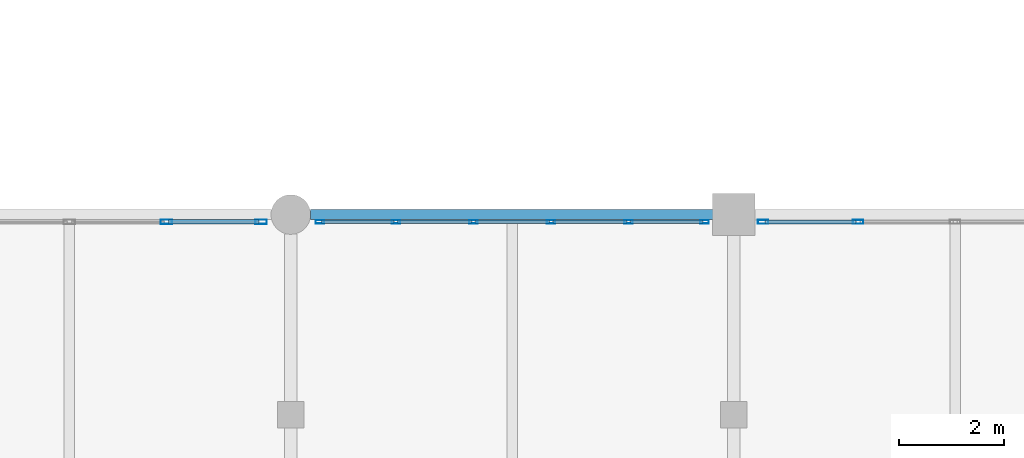
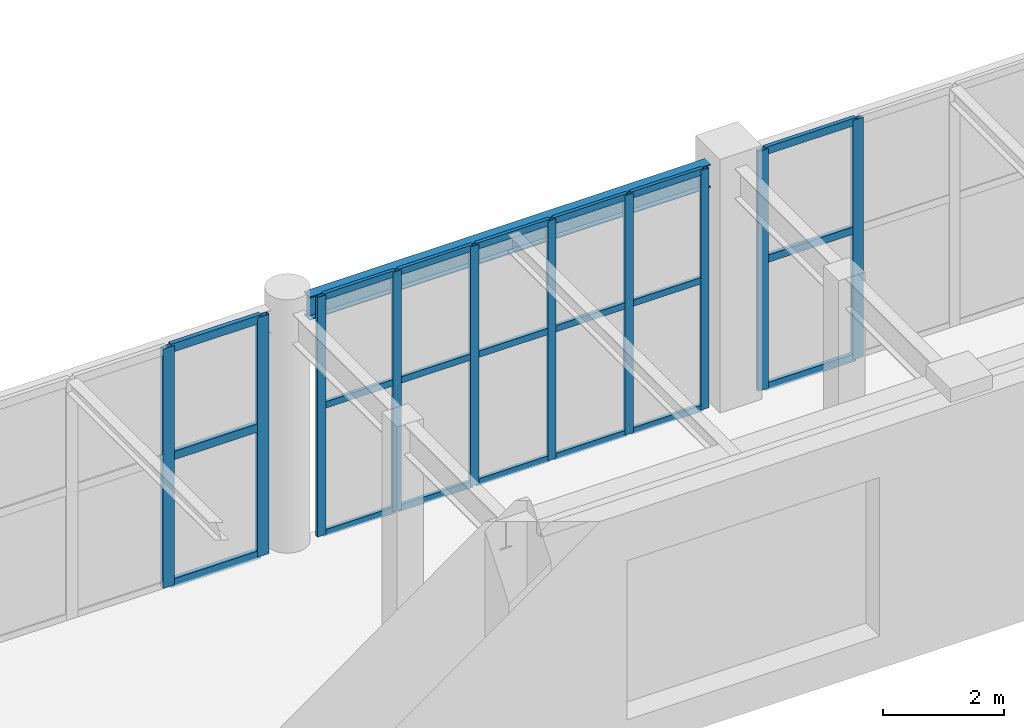
# One storey, part 67 of 128: 31 members, 1 beam, 3 elements without a shape of their own.
"""IFC4 building model written with IfcOpenShell, lengths in metres."""

from ifc_helpers import new_model, si_unit, direction, frame, origin, origin_2d, place, context, subcontext, project, spatial, hollow_rectangle, i_section, extrude, material, layer, layer_set, material_profile, profile_set, type_object, element, aggregate, save


model = new_model("IFC4")

# Units and contexts
model_context = context("Model", 3, precision=1e-05, world=origin(), true_north=direction((0.0, 1.0)))
body_context = subcontext(model_context, "Body", "Model", "MODEL_VIEW")
ifc_project = project(units=[si_unit("LENGTHUNIT", "METRE"), si_unit("AREAUNIT", "SQUARE_METRE"), si_unit("VOLUMEUNIT", "CUBIC_METRE"), si_unit("PLANEANGLEUNIT", "RADIAN"), si_unit("MASSUNIT", "GRAM", prefix="KILO")], contexts=[model_context])

# Site, building, storey
site_placement = place(None, origin())
site = spatial("IfcSite", under=ifc_project, at=site_placement, CompositionType="ELEMENT")
building_placement = place(site_placement, origin())
building = spatial("IfcBuilding", under=site, at=building_placement, Name="Xicomal Pleat Aquarium", CompositionType="ELEMENT")
storey_placement = place(building_placement, frame((0.0, 0.0, 5.39990234375)))
storey = spatial("IfcBuildingStorey", under=building, at=storey_placement, Name="L02", CompositionType="ELEMENT", Elevation=5.39990234375)

# Beam
ifc_material_1 = material(Name="Structural steel A992 Gr 50", Category="steel")
ifc_material_profile_1 = material_profile(ifc_material_1, i_section(OverallWidth=0.194091796875, OverallDepth=0.468994140625, WebThickness=0.0126953125, FlangeThickness=0.0205078125, at=origin_2d()), Name="IR 460x106")
ifc_profile_set_1 = profile_set([ifc_material_profile_1], Name="Structural steel A992 Gr 50")
beam_type = type_object("IfcBeamType", Name="BM-STL-IR460", PredefinedType="BEAM", material=ifc_profile_set_1)
beam_placement = place(storey_placement, frame((69.3701171875, 83.60009765625, 4.585693359375), z_axis=(1.0, 0.0, 0.0), x_axis=(0.0, 1.0, 0.0)))
element("IfcBeam", 1, at=beam_placement, inside=storey, type_object=beam_type, Name="L02 framing beam FGX-L02-09-10-M", PredefinedType="BEAM", context=body_context, shape_type="SweptSolid", body=[
    extrude(i_section(OverallWidth=0.194091796875, OverallDepth=0.468994140625, WebThickness=0.0126953125, FlangeThickness=0.0205078125, at=origin_2d()), origin(), (0.0, 0.0, 1.0), 7.634765625),
])

# Curtain wall, members
ifc_material_2 = material(Name="Bronze anodized aluminium 6063-T6", Category="aluminium")
ifc_layer_1 = layer(ifc_material_2, 0.159912109375)
ifc_layer_set_1 = layer_set([ifc_layer_1], Name="Bronze anodized aluminium 6063-T6")
curtain_wall_type_1 = type_object("IfcCurtainWallType", Name="CW-SYS-02", PredefinedType="NOTDEFINED", material=ifc_layer_set_1)
curtain_wall_1_placement = place(storey_placement, origin())
curtain_wall_1 = element("IfcCurtainWall", 2, at=curtain_wall_1_placement, inside=storey, type_object=curtain_wall_type_1, Name="L02 unitised curtain wall CW-L02-105", PredefinedType="NOTDEFINED")
ifc_material_3 = material(Name="Bronze anodized aluminium 6063-T6", Category="aluminium")
ifc_material_profile_2 = material_profile(ifc_material_3, hollow_rectangle(XDim=0.06494140625, YDim=0.159912109375, WallThickness=0.00390625, at=origin_2d()), Name="ALU MULL 65x160")
ifc_profile_set_2 = profile_set([ifc_material_profile_2], Name="Bronze anodized aluminium 6063-T6")
member_type_1 = type_object("IfcMemberType", Name="CWM-65x160", PredefinedType="MULLION", material=ifc_profile_set_2)
member_1_placement = place(storey_placement, frame((69.552490234375, 83.4599609375, 0.0), z_axis=(0.0, 0.0, 1.0), x_axis=(0.0, 1.0, 0.0)))
member_1 = element("IfcMember", 3, at=member_1_placement, type_object=member_type_1, Name="CW-02 mullion 1", PredefinedType="MULLION", context=body_context, shape_type="SweptSolid", body=[
    extrude(hollow_rectangle(XDim=0.06494140625, YDim=0.159912109375, WallThickness=0.00390625, at=origin_2d()), origin(), (0.0, 0.0, 1.0), 4.820068359375),
])
member_2_placement = place(storey_placement, frame((70.991943359375, 83.4599609375, 0.0), z_axis=(0.0, 0.0, 1.0), x_axis=(0.0, 1.0, 0.0)))
member_2 = element("IfcMember", 4, at=member_2_placement, type_object=member_type_1, Name="CW-02 mullion 2", PredefinedType="MULLION", context=body_context, shape_type="SweptSolid", body=[
    extrude(hollow_rectangle(XDim=0.06494140625, YDim=0.159912109375, WallThickness=0.00390625, at=origin_2d()), origin(), (0.0, 0.0, 1.0), 4.820068359375),
])
member_3_placement = place(storey_placement, frame((72.464111328125, 83.4599609375, 0.0), z_axis=(0.0, 0.0, 1.0), x_axis=(0.0, 1.0, 0.0)))
member_3 = element("IfcMember", 5, at=member_3_placement, type_object=member_type_1, Name="CW-02 mullion 3", PredefinedType="MULLION", context=body_context, shape_type="SweptSolid", body=[
    extrude(hollow_rectangle(XDim=0.06494140625, YDim=0.159912109375, WallThickness=0.00390625, at=origin_2d()), origin(), (0.0, 0.0, 1.0), 4.820068359375),
])
member_4_placement = place(storey_placement, frame((73.93603515625, 83.4599609375, 0.0), z_axis=(0.0, 0.0, 1.0), x_axis=(0.0, 1.0, 0.0)))
member_4 = element("IfcMember", 6, at=member_4_placement, type_object=member_type_1, Name="CW-02 mullion 4", PredefinedType="MULLION", context=body_context, shape_type="SweptSolid", body=[
    extrude(hollow_rectangle(XDim=0.06494140625, YDim=0.159912109375, WallThickness=0.00390625, at=origin_2d()), origin(), (0.0, 0.0, 1.0), 4.820068359375),
])
member_5_placement = place(storey_placement, frame((75.407958984375, 83.4599609375, 0.0), z_axis=(0.0, 0.0, 1.0), x_axis=(0.0, 1.0, 0.0)))
member_5 = element("IfcMember", 7, at=member_5_placement, type_object=member_type_1, Name="CW-02 mullion 5", PredefinedType="MULLION", context=body_context, shape_type="SweptSolid", body=[
    extrude(hollow_rectangle(XDim=0.06494140625, YDim=0.159912109375, WallThickness=0.00390625, at=origin_2d()), origin(), (0.0, 0.0, 1.0), 4.820068359375),
])
member_6_placement = place(storey_placement, frame((76.847412109375, 83.4599609375, 0.0), z_axis=(0.0, 0.0, 1.0), x_axis=(0.0, 1.0, 0.0)))
member_6 = element("IfcMember", 8, at=member_6_placement, type_object=member_type_1, Name="CW-02 mullion 6", PredefinedType="MULLION", context=body_context, shape_type="SweptSolid", body=[
    extrude(hollow_rectangle(XDim=0.06494140625, YDim=0.159912109375, WallThickness=0.00390625, at=origin_2d()), origin(), (0.0, 0.0, 1.0), 4.820068359375),
])

ifc_material_4 = material(Name="Bronze anodized aluminium 6063-T6", Category="aluminium")
ifc_layer_2 = layer(ifc_material_4, 0.159912109375)
ifc_layer_set_2 = layer_set([ifc_layer_2], Name="Bronze anodized aluminium 6063-T6")
curtain_wall_type_2 = type_object("IfcCurtainWallType", Name="CW-SYS-07", PredefinedType="NOTDEFINED", material=ifc_layer_set_2)
curtain_wall_2_placement = place(storey_placement, origin())
curtain_wall_2 = element("IfcCurtainWall", 9, at=curtain_wall_2_placement, inside=storey, type_object=curtain_wall_type_2, Name="L02 unitised curtain wall CW-L02-106", PredefinedType="NOTDEFINED")
ifc_material_5 = material(Name="Bronze anodized aluminium 6063-T6", Category="aluminium")
ifc_material_profile_3 = material_profile(ifc_material_5, hollow_rectangle(XDim=0.074951171875, YDim=0.199951171875, WallThickness=0.00439453125, at=origin_2d()), Name="ALU MULL 75x200")
ifc_profile_set_3 = profile_set([ifc_material_profile_3], Name="Bronze anodized aluminium 6063-T6")
member_type_2 = type_object("IfcMemberType", Name="CWM-75x200", PredefinedType="MULLION", material=ifc_profile_set_3)
member_7_placement = place(storey_placement, frame((77.95751953125, 83.4599609375, 0.0), z_axis=(0.0, 0.0, 1.0), x_axis=(0.0, 1.0, 0.0)))
member_7 = element("IfcMember", 10, at=member_7_placement, type_object=member_type_2, Name="CW-07 mullion 1", PredefinedType="MULLION", context=body_context, shape_type="SweptSolid", body=[
    extrude(hollow_rectangle(XDim=0.074951171875, YDim=0.199951171875, WallThickness=0.00439453125, at=origin_2d()), origin(), (0.0, 0.0, 1.0), 4.820068359375),
])
member_8_placement = place(storey_placement, frame((79.760009765625, 83.4599609375, 0.0), z_axis=(0.0, 0.0, 1.0), x_axis=(0.0, 1.0, 0.0)))
member_8 = element("IfcMember", 11, at=member_8_placement, type_object=member_type_2, Name="CW-07 mullion 2", PredefinedType="MULLION", context=body_context, shape_type="SweptSolid", body=[
    extrude(hollow_rectangle(XDim=0.074951171875, YDim=0.199951171875, WallThickness=0.00439453125, at=origin_2d()), origin(), (0.0, 0.0, 1.0), 4.820068359375),
])

ifc_material_6 = material(Name="Bronze anodized aluminium 6063-T6", Category="aluminium")
ifc_layer_3 = layer(ifc_material_6, 0.159912109375)
ifc_layer_set_3 = layer_set([ifc_layer_3], Name="Bronze anodized aluminium 6063-T6")
curtain_wall_type_3 = type_object("IfcCurtainWallType", Name="CW-SYS-12", PredefinedType="NOTDEFINED", material=ifc_layer_set_3)
curtain_wall_3_placement = place(storey_placement, origin())
curtain_wall_3 = element("IfcCurtainWall", 12, at=curtain_wall_3_placement, inside=storey, type_object=curtain_wall_type_3, Name="L02 unitised curtain wall CW-L02-104", PredefinedType="NOTDEFINED")
ifc_material_7 = material(Name="Bronze anodized aluminium 6063-T6", Category="aluminium")
ifc_material_profile_4 = material_profile(ifc_material_7, hollow_rectangle(XDim=0.0849609375, YDim=0.219970703125, WallThickness=0.0048828125, at=origin_2d()), Name="ALU MULL 85x220")
ifc_profile_set_4 = profile_set([ifc_material_profile_4], Name="Bronze anodized aluminium 6063-T6")
member_type_3 = type_object("IfcMemberType", Name="CWM-85x220", PredefinedType="MULLION", material=ifc_profile_set_4)
member_9_placement = place(storey_placement, frame((66.639892578125, 83.4599609375, 0.0), z_axis=(0.0, 0.0, 1.0), x_axis=(0.0, 1.0, 0.0)))
member_9 = element("IfcMember", 13, at=member_9_placement, type_object=member_type_3, Name="CW-12 mullion 4", PredefinedType="MULLION", context=body_context, shape_type="SweptSolid", body=[
    extrude(hollow_rectangle(XDim=0.0849609375, YDim=0.219970703125, WallThickness=0.0048828125, at=origin_2d()), origin(), (0.0, 0.0, 1.0), 4.820068359375),
])
member_10_placement = place(storey_placement, frame((68.4375, 83.4599609375, 0.0), z_axis=(0.0, 0.0, 1.0), x_axis=(0.0, 1.0, 0.0)))
member_10 = element("IfcMember", 14, at=member_10_placement, type_object=member_type_3, Name="CW-12 mullion 5", PredefinedType="MULLION", context=body_context, shape_type="SweptSolid", body=[
    extrude(hollow_rectangle(XDim=0.0849609375, YDim=0.219970703125, WallThickness=0.0048828125, at=origin_2d()), origin(), (0.0, 0.0, 1.0), 4.820068359375),
])

# Member
ifc_material_8 = material(Name="Bronze anodized aluminium 6063-T6", Category="aluminium")
ifc_material_profile_5 = material_profile(ifc_material_8, hollow_rectangle(XDim=0.06494140625, YDim=0.1298828125, WallThickness=0.00390625, at=origin_2d()), Name="ALU TRAN 65x130")
ifc_profile_set_5 = profile_set([ifc_material_profile_5], Name="Bronze anodized aluminium 6063-T6")
member_type_4 = type_object("IfcMemberType", Name="CWT-65x130", PredefinedType="USERDEFINED", material=ifc_profile_set_5)
member_11_placement = place(storey_placement, frame((69.5849609375, 83.4599609375, 0.03271484375), z_axis=(1.0, 0.0, 0.0), x_axis=(0.0, 1.0, 0.0)))
member_11 = element("IfcMember", 15, at=member_11_placement, type_object=member_type_4, Name="CW-02 transom 1.1", ObjectType="TRANSOM", PredefinedType="USERDEFINED", context=body_context, shape_type="SweptSolid", body=[
    extrude(hollow_rectangle(XDim=0.06494140625, YDim=0.1298828125, WallThickness=0.00390625, at=origin_2d()), origin(), (0.0, 0.0, 1.0), 1.37451171875),
])

member_12_placement = place(storey_placement, frame((69.5849609375, 83.4599609375, 2.60302734375), z_axis=(1.0, 0.0, 0.0), x_axis=(0.0, 1.0, 0.0)))
member_12 = element("IfcMember", 16, at=member_12_placement, type_object=member_type_4, Name="CW-02 transom 1.2", ObjectType="TRANSOM", PredefinedType="USERDEFINED", context=body_context, shape_type="SweptSolid", body=[
    extrude(hollow_rectangle(XDim=0.06494140625, YDim=0.1298828125, WallThickness=0.00390625, at=origin_2d()), origin(), (0.0, 0.0, 1.0), 1.37451171875),
])

member_13_placement = place(storey_placement, frame((69.5849609375, 83.4599609375, 4.78759765625), z_axis=(1.0, 0.0, 0.0), x_axis=(0.0, 1.0, 0.0)))
member_13 = element("IfcMember", 17, at=member_13_placement, type_object=member_type_4, Name="CW-02 transom 1.3", ObjectType="TRANSOM", PredefinedType="USERDEFINED", context=body_context, shape_type="SweptSolid", body=[
    extrude(hollow_rectangle(XDim=0.06494140625, YDim=0.1298828125, WallThickness=0.00390625, at=origin_2d()), origin(), (0.0, 0.0, 1.0), 1.37451171875),
])

member_14_placement = place(storey_placement, frame((71.0244140625, 83.4599609375, 0.03271484375), z_axis=(1.0, 0.0, 0.0), x_axis=(0.0, 1.0, 0.0)))
member_14 = element("IfcMember", 18, at=member_14_placement, type_object=member_type_4, Name="CW-02 transom 2.1", ObjectType="TRANSOM", PredefinedType="USERDEFINED", context=body_context, shape_type="SweptSolid", body=[
    extrude(hollow_rectangle(XDim=0.06494140625, YDim=0.1298828125, WallThickness=0.00390625, at=origin_2d()), origin(), (0.0, 0.0, 1.0), 1.406982421875),
])

member_15_placement = place(storey_placement, frame((71.0244140625, 83.4599609375, 2.60302734375), z_axis=(1.0, 0.0, 0.0), x_axis=(0.0, 1.0, 0.0)))
member_15 = element("IfcMember", 19, at=member_15_placement, type_object=member_type_4, Name="CW-02 transom 2.2", ObjectType="TRANSOM", PredefinedType="USERDEFINED", context=body_context, shape_type="SweptSolid", body=[
    extrude(hollow_rectangle(XDim=0.06494140625, YDim=0.1298828125, WallThickness=0.00390625, at=origin_2d()), origin(), (0.0, 0.0, 1.0), 1.406982421875),
])

member_16_placement = place(storey_placement, frame((71.0244140625, 83.4599609375, 4.78759765625), z_axis=(1.0, 0.0, 0.0), x_axis=(0.0, 1.0, 0.0)))
member_16 = element("IfcMember", 20, at=member_16_placement, type_object=member_type_4, Name="CW-02 transom 2.3", ObjectType="TRANSOM", PredefinedType="USERDEFINED", context=body_context, shape_type="SweptSolid", body=[
    extrude(hollow_rectangle(XDim=0.06494140625, YDim=0.1298828125, WallThickness=0.00390625, at=origin_2d()), origin(), (0.0, 0.0, 1.0), 1.406982421875),
])

member_17_placement = place(storey_placement, frame((72.49658203125, 83.4599609375, 0.03271484375), z_axis=(1.0, 0.0, 0.0), x_axis=(0.0, 1.0, 0.0)))
member_17 = element("IfcMember", 21, at=member_17_placement, type_object=member_type_4, Name="CW-02 transom 3.1", ObjectType="TRANSOM", PredefinedType="USERDEFINED", context=body_context, shape_type="SweptSolid", body=[
    extrude(hollow_rectangle(XDim=0.06494140625, YDim=0.1298828125, WallThickness=0.00390625, at=origin_2d()), origin(), (0.0, 0.0, 1.0), 1.406982421875),
])

member_18_placement = place(storey_placement, frame((72.49658203125, 83.4599609375, 2.60302734375), z_axis=(1.0, 0.0, 0.0), x_axis=(0.0, 1.0, 0.0)))
member_18 = element("IfcMember", 22, at=member_18_placement, type_object=member_type_4, Name="CW-02 transom 3.2", ObjectType="TRANSOM", PredefinedType="USERDEFINED", context=body_context, shape_type="SweptSolid", body=[
    extrude(hollow_rectangle(XDim=0.06494140625, YDim=0.1298828125, WallThickness=0.00390625, at=origin_2d()), origin(), (0.0, 0.0, 1.0), 1.406982421875),
])

member_19_placement = place(storey_placement, frame((72.49658203125, 83.4599609375, 4.78759765625), z_axis=(1.0, 0.0, 0.0), x_axis=(0.0, 1.0, 0.0)))
member_19 = element("IfcMember", 23, at=member_19_placement, type_object=member_type_4, Name="CW-02 transom 3.3", ObjectType="TRANSOM", PredefinedType="USERDEFINED", context=body_context, shape_type="SweptSolid", body=[
    extrude(hollow_rectangle(XDim=0.06494140625, YDim=0.1298828125, WallThickness=0.00390625, at=origin_2d()), origin(), (0.0, 0.0, 1.0), 1.406982421875),
])

member_20_placement = place(storey_placement, frame((73.968505859375, 83.4599609375, 0.03271484375), z_axis=(1.0, 0.0, 0.0), x_axis=(0.0, 1.0, 0.0)))
member_20 = element("IfcMember", 24, at=member_20_placement, type_object=member_type_4, Name="CW-02 transom 4.1", ObjectType="TRANSOM", PredefinedType="USERDEFINED", context=body_context, shape_type="SweptSolid", body=[
    extrude(hollow_rectangle(XDim=0.06494140625, YDim=0.1298828125, WallThickness=0.00390625, at=origin_2d()), origin(), (0.0, 0.0, 1.0), 1.406982421875),
])

member_21_placement = place(storey_placement, frame((73.968505859375, 83.4599609375, 2.60302734375), z_axis=(1.0, 0.0, 0.0), x_axis=(0.0, 1.0, 0.0)))
member_21 = element("IfcMember", 25, at=member_21_placement, type_object=member_type_4, Name="CW-02 transom 4.2", ObjectType="TRANSOM", PredefinedType="USERDEFINED", context=body_context, shape_type="SweptSolid", body=[
    extrude(hollow_rectangle(XDim=0.06494140625, YDim=0.1298828125, WallThickness=0.00390625, at=origin_2d()), origin(), (0.0, 0.0, 1.0), 1.406982421875),
])

member_22_placement = place(storey_placement, frame((73.968505859375, 83.4599609375, 4.78759765625), z_axis=(1.0, 0.0, 0.0), x_axis=(0.0, 1.0, 0.0)))
member_22 = element("IfcMember", 26, at=member_22_placement, type_object=member_type_4, Name="CW-02 transom 4.3", ObjectType="TRANSOM", PredefinedType="USERDEFINED", context=body_context, shape_type="SweptSolid", body=[
    extrude(hollow_rectangle(XDim=0.06494140625, YDim=0.1298828125, WallThickness=0.00390625, at=origin_2d()), origin(), (0.0, 0.0, 1.0), 1.406982421875),
])

member_23_placement = place(storey_placement, frame((75.4404296875, 83.4599609375, 0.03271484375), z_axis=(1.0, 0.0, 0.0), x_axis=(0.0, 1.0, 0.0)))
member_23 = element("IfcMember", 27, at=member_23_placement, type_object=member_type_4, Name="CW-02 transom 5.1", ObjectType="TRANSOM", PredefinedType="USERDEFINED", context=body_context, shape_type="SweptSolid", body=[
    extrude(hollow_rectangle(XDim=0.06494140625, YDim=0.1298828125, WallThickness=0.00390625, at=origin_2d()), origin(), (0.0, 0.0, 1.0), 1.37451171875),
])

member_24_placement = place(storey_placement, frame((75.4404296875, 83.4599609375, 2.60302734375), z_axis=(1.0, 0.0, 0.0), x_axis=(0.0, 1.0, 0.0)))
member_24 = element("IfcMember", 28, at=member_24_placement, type_object=member_type_4, Name="CW-02 transom 5.2", ObjectType="TRANSOM", PredefinedType="USERDEFINED", context=body_context, shape_type="SweptSolid", body=[
    extrude(hollow_rectangle(XDim=0.06494140625, YDim=0.1298828125, WallThickness=0.00390625, at=origin_2d()), origin(), (0.0, 0.0, 1.0), 1.37451171875),
])

member_25_placement = place(storey_placement, frame((75.4404296875, 83.4599609375, 4.78759765625), z_axis=(1.0, 0.0, 0.0), x_axis=(0.0, 1.0, 0.0)))
member_25 = element("IfcMember", 29, at=member_25_placement, type_object=member_type_4, Name="CW-02 transom 5.3", ObjectType="TRANSOM", PredefinedType="USERDEFINED", context=body_context, shape_type="SweptSolid", body=[
    extrude(hollow_rectangle(XDim=0.06494140625, YDim=0.1298828125, WallThickness=0.00390625, at=origin_2d()), origin(), (0.0, 0.0, 1.0), 1.37451171875),
])

aggregate(curtain_wall_1, [member_1, member_2, member_3, member_4, member_5, member_6, member_11, member_12, member_13, member_14, member_15, member_16, member_17, member_18, member_19, member_20, member_21, member_22, member_23, member_24, member_25])

ifc_material_9 = material(Name="Bronze anodized aluminium 6063-T6", Category="aluminium")
ifc_material_profile_6 = material_profile(ifc_material_9, hollow_rectangle(XDim=0.074951171875, YDim=0.14990234375, WallThickness=0.00439453125, at=origin_2d()), Name="ALU TRAN 75x150")
ifc_profile_set_6 = profile_set([ifc_material_profile_6], Name="Bronze anodized aluminium 6063-T6")
member_type_5 = type_object("IfcMemberType", Name="CWT-75x150", PredefinedType="USERDEFINED", material=ifc_profile_set_6)
member_26_placement = place(storey_placement, frame((77.9951171875, 83.4599609375, 0.03759765625), z_axis=(1.0, 0.0, 0.0), x_axis=(0.0, 1.0, 0.0)))
member_26 = element("IfcMember", 30, at=member_26_placement, type_object=member_type_5, Name="CW-07 transom 1.1", ObjectType="TRANSOM", PredefinedType="USERDEFINED", context=body_context, shape_type="SweptSolid", body=[
    extrude(hollow_rectangle(XDim=0.074951171875, YDim=0.14990234375, WallThickness=0.00439453125, at=origin_2d()), origin(), (0.0, 0.0, 1.0), 1.727294921875),
])

member_27_placement = place(storey_placement, frame((77.9951171875, 83.4599609375, 2.60302734375), z_axis=(1.0, 0.0, 0.0), x_axis=(0.0, 1.0, 0.0)))
member_27 = element("IfcMember", 31, at=member_27_placement, type_object=member_type_5, Name="CW-07 transom 1.2", ObjectType="TRANSOM", PredefinedType="USERDEFINED", context=body_context, shape_type="SweptSolid", body=[
    extrude(hollow_rectangle(XDim=0.074951171875, YDim=0.14990234375, WallThickness=0.00439453125, at=origin_2d()), origin(), (0.0, 0.0, 1.0), 1.727294921875),
])

member_28_placement = place(storey_placement, frame((77.9951171875, 83.4599609375, 4.78271484375), z_axis=(1.0, 0.0, 0.0), x_axis=(0.0, 1.0, 0.0)))
member_28 = element("IfcMember", 32, at=member_28_placement, type_object=member_type_5, Name="CW-07 transom 1.3", ObjectType="TRANSOM", PredefinedType="USERDEFINED", context=body_context, shape_type="SweptSolid", body=[
    extrude(hollow_rectangle(XDim=0.074951171875, YDim=0.14990234375, WallThickness=0.00439453125, at=origin_2d()), origin(), (0.0, 0.0, 1.0), 1.727294921875),
])

aggregate(curtain_wall_2, [member_7, member_8, member_26, member_27, member_28])

ifc_material_10 = material(Name="Bronze anodized aluminium 6063-T6", Category="aluminium")
ifc_material_profile_7 = material_profile(ifc_material_10, hollow_rectangle(XDim=0.0849609375, YDim=0.169921875, WallThickness=0.0048828125, at=origin_2d()), Name="ALU TRAN 85x170")
ifc_profile_set_7 = profile_set([ifc_material_profile_7], Name="Bronze anodized aluminium 6063-T6")
member_type_6 = type_object("IfcMemberType", Name="CWT-85x170", PredefinedType="USERDEFINED", material=ifc_profile_set_7)
member_29_placement = place(storey_placement, frame((66.6826171875, 83.4599609375, 0.04248046875), z_axis=(1.0, 0.0, 0.0), x_axis=(0.0, 1.0, 0.0)))
member_29 = element("IfcMember", 33, at=member_29_placement, type_object=member_type_6, Name="CW-12 transom 4.1", ObjectType="TRANSOM", PredefinedType="USERDEFINED", context=body_context, shape_type="SweptSolid", body=[
    extrude(hollow_rectangle(XDim=0.0849609375, YDim=0.169921875, WallThickness=0.0048828125, at=origin_2d()), origin(), (0.0, 0.0, 1.0), 1.71240234375),
])

member_30_placement = place(storey_placement, frame((66.6826171875, 83.4599609375, 2.60302734375), z_axis=(1.0, 0.0, 0.0), x_axis=(0.0, 1.0, 0.0)))
member_30 = element("IfcMember", 34, at=member_30_placement, type_object=member_type_6, Name="CW-12 transom 4.2", ObjectType="TRANSOM", PredefinedType="USERDEFINED", context=body_context, shape_type="SweptSolid", body=[
    extrude(hollow_rectangle(XDim=0.0849609375, YDim=0.169921875, WallThickness=0.0048828125, at=origin_2d()), origin(), (0.0, 0.0, 1.0), 1.71240234375),
])

member_31_placement = place(storey_placement, frame((66.6826171875, 83.4599609375, 4.777587890625), z_axis=(1.0, 0.0, 0.0), x_axis=(0.0, 1.0, 0.0)))
member_31 = element("IfcMember", 35, at=member_31_placement, type_object=member_type_6, Name="CW-12 transom 4.3", ObjectType="TRANSOM", PredefinedType="USERDEFINED", context=body_context, shape_type="SweptSolid", body=[
    extrude(hollow_rectangle(XDim=0.0849609375, YDim=0.169921875, WallThickness=0.0048828125, at=origin_2d()), origin(), (0.0, 0.0, 1.0), 1.71240234375),
])

aggregate(curtain_wall_3, [member_9, member_10, member_29, member_30, member_31])

save(model, "model.ifc")
